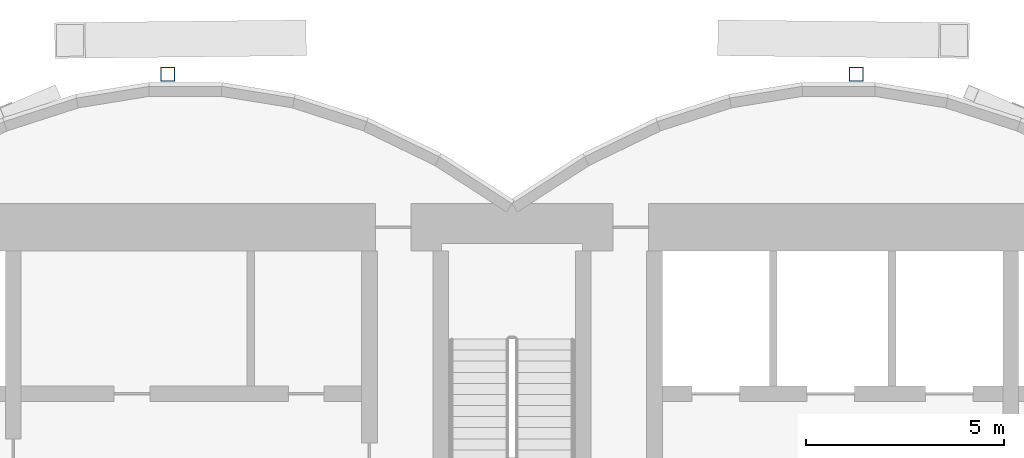
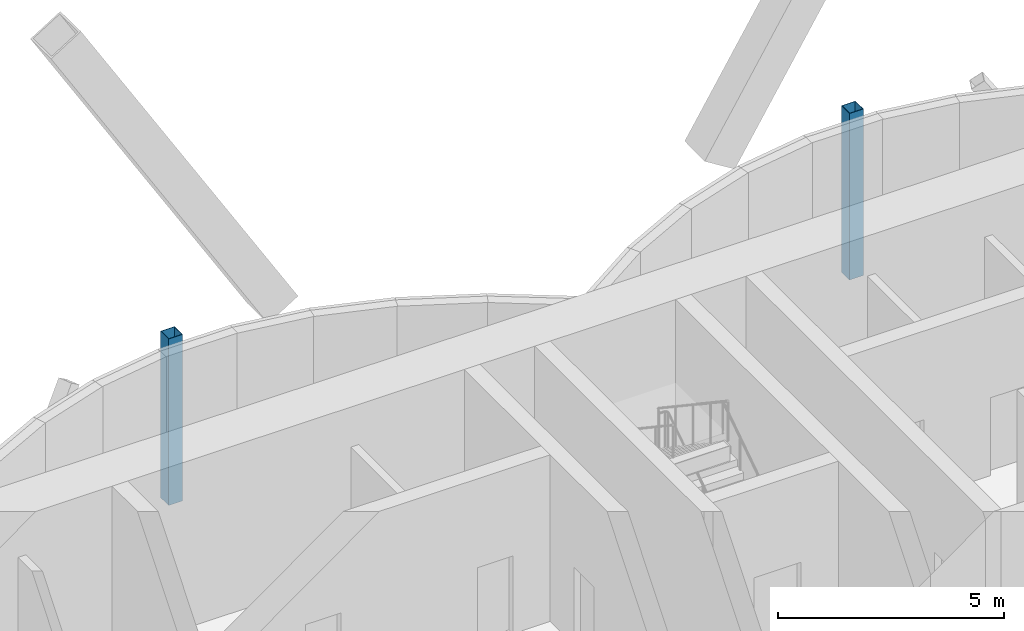
# One storey, part 3 of 19: 2 columns.
"""IFC4 building model written with IfcOpenShell, lengths in metres."""

from ifc_helpers import new_model, si_unit, direction, frame, origin, origin_2d, place, context, subcontext, project, spatial, hollow_rectangle, extrude, material, material_profile, profile_set, type_object, element, save


model = new_model("IFC4")

# Units and contexts
model_context = context("Model", 3, precision=1e-05, world=origin(), true_north=direction((0.0, 1.0)))
body_context = subcontext(model_context, "Body", "Model", "MODEL_VIEW")
ifc_project = project(units=[si_unit("LENGTHUNIT", "METRE"), si_unit("AREAUNIT", "SQUARE_METRE"), si_unit("VOLUMEUNIT", "CUBIC_METRE"), si_unit("PLANEANGLEUNIT", "RADIAN"), si_unit("MASSUNIT", "GRAM", prefix="KILO")], contexts=[model_context])

# Site, building, storey
site_placement = place(None, origin())
site = spatial("IfcSite", under=ifc_project, at=site_placement, CompositionType="ELEMENT")
building_placement = place(site_placement, origin())
building = spatial("IfcBuilding", under=site, at=building_placement, Name="Bicima Exchange Tower", CompositionType="ELEMENT")
storey_placement = place(building_placement, frame((0.0, 0.0, 297.5)))
storey = spatial("IfcBuildingStorey", under=building, at=storey_placement, Name="L67", CompositionType="ELEMENT", Elevation=297.5)

# Columns
ifc_material = material(Name="Steel ASTM A572 Gr 50", Category="steel")
ifc_material_profile = material_profile(ifc_material, hollow_rectangle(XDim=0.355712890625, YDim=0.355712890625, WallThickness=0.01171875, at=origin_2d()))
ifc_profile_set = profile_set([ifc_material_profile], Name="Steel ASTM A572 Gr 50")
column_type = type_object("IfcColumnType", Name="Rear pilaster HSS14x14x1/2", PredefinedType="COLUMN", material=ifc_profile_set)
for number, where, z_axis, x_axis, name in (
    (1, (-8.699951171875, 3.26904296875, 0.0), (0.0, 0.0, 1.0), (1.0, 0.0, 0.0), "Rear pilaster rexo-8.7r"),
    (2, (8.699951171875, 3.26904296875, 0.0), (0.0, 0.0, 1.0), (1.0, 0.0, 0.0), "Rear pilaster rexo+8.7r"),
):
    element("IfcColumn", number, at=place(storey_placement, frame(where, z_axis=z_axis, x_axis=x_axis)), inside=storey, type_object=column_type, Name=name, PredefinedType="COLUMN", context=body_context, shape_type="SweptSolid", body=[
        extrude(hollow_rectangle(XDim=0.355712890625, YDim=0.355712890625, WallThickness=0.01171875, at=origin_2d()), origin(), (0.0, 0.0, 1.0), 4.5),
    ])

save(model, "model.ifc")
